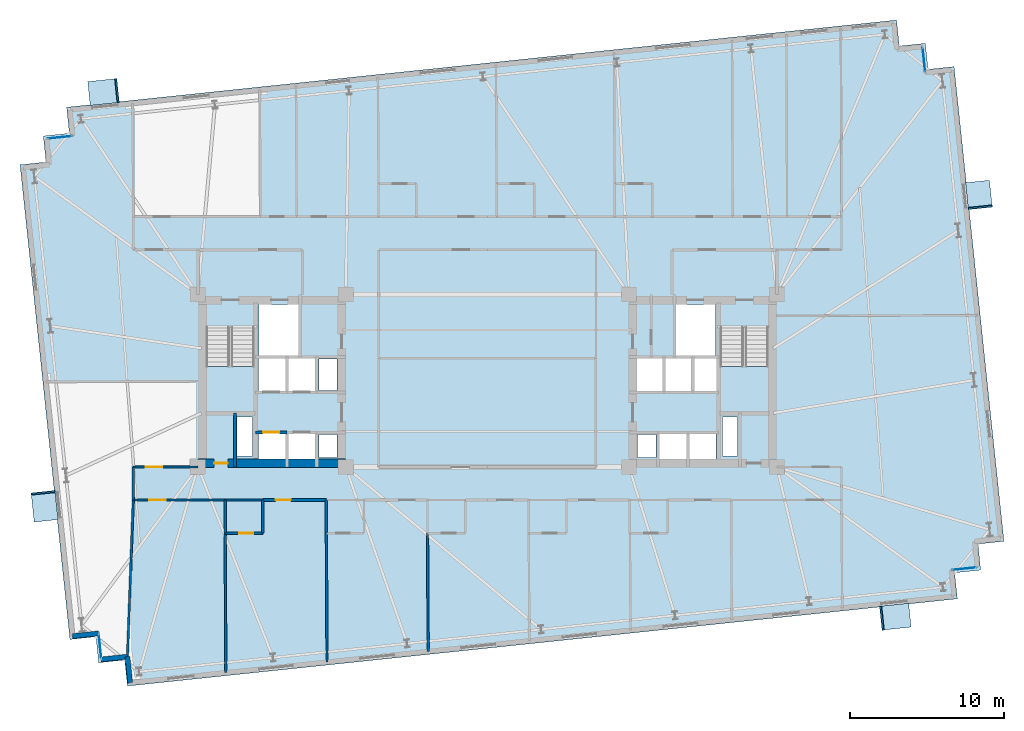
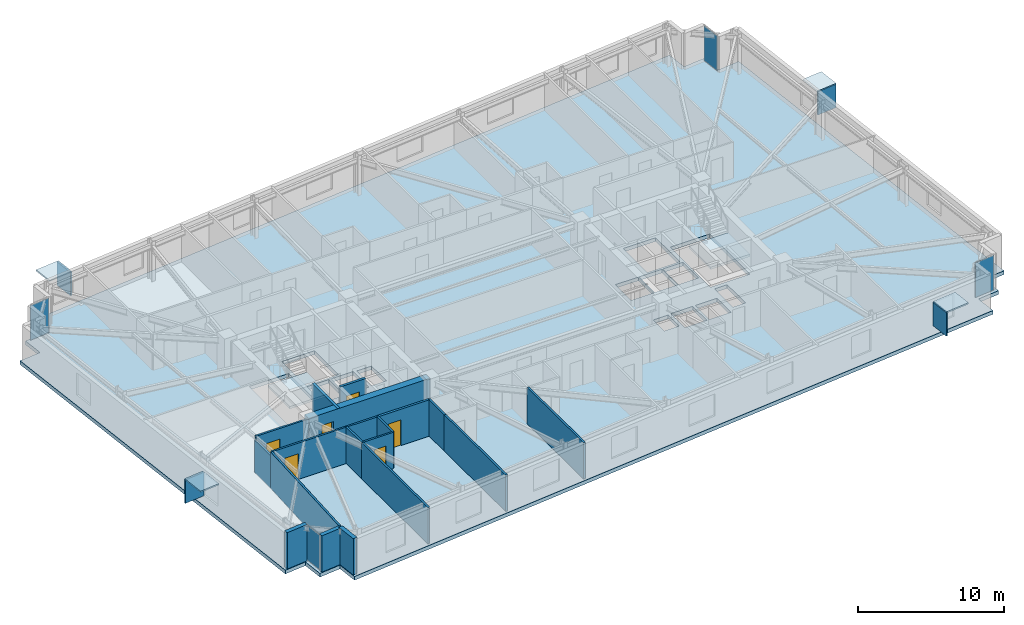
# One storey, part 11 of 19: 19 walls, 12 plates, 6 doors, 3 slabs, 6 openings, 6 elements without a shape of their own.
"""IFC4 building model written with IfcOpenShell, lengths in metres."""

from ifc_helpers import new_model, si_unit, direction, frame, frame_2d, origin, origin_2d, place, context, subcontext, project, spatial, polyline, rectangle, outline, extrude, material, layer, layer_set, type_object, element, fill, aggregate, save


model = new_model("IFC4")

# Units and contexts
model_context = context("Model", 3, precision=1e-05, world=origin(), true_north=direction((0.0, 1.0)))
body_context = subcontext(model_context, "Body", "Model", "MODEL_VIEW")
ifc_project = project(units=[si_unit("LENGTHUNIT", "METRE"), si_unit("AREAUNIT", "SQUARE_METRE"), si_unit("VOLUMEUNIT", "CUBIC_METRE"), si_unit("PLANEANGLEUNIT", "RADIAN"), si_unit("MASSUNIT", "GRAM", prefix="KILO")], contexts=[model_context])

# Site, building, storey
site_placement = place(None, origin())
site = spatial("IfcSite", under=ifc_project, at=site_placement, CompositionType="ELEMENT")
building_placement = place(site_placement, origin())
building = spatial("IfcBuilding", under=site, at=building_placement, Name="Qobustan Lattice House", CompositionType="ELEMENT")
storey_placement = place(building_placement, frame((0.0, 0.0, 115.85009765625)))
storey = spatial("IfcBuildingStorey", under=building, at=storey_placement, Name="L32", CompositionType="ELEMENT", Elevation=115.85009765625)

# Curtain wall, plate
ifc_material_1 = material(Name="Anodised aluminium and low-E glazing", Category="aluminium")
ifc_layer_1 = layer(ifc_material_1, 0.219970703125)
ifc_layer_set_1 = layer_set([ifc_layer_1], Name="Anodised aluminium and low-E glazing")
curtain_wall_type = type_object("IfcCurtainWallType", Name="CW-FAC-01", PredefinedType="USERDEFINED", material=ifc_layer_set_1)
curtain_wall_1_placement = place(storey_placement, origin())
curtain_wall_1 = element("IfcCurtainWall", 1, at=curtain_wall_1_placement, inside=storey, type_object=curtain_wall_type, Name="L32 serrated corner faceted glazing 3", ObjectType="CURTAIN WALL", PredefinedType="USERDEFINED")
ifc_material_2 = material(Name="Clear low-E laminated glass", Category="glass")
ifc_layer_2 = layer(ifc_material_2, 0.031982421875)
ifc_layer_set_2 = layer_set([ifc_layer_2], Name="Clear low-E laminated glass")
plate_type_1 = type_object("IfcPlateType", Name="CWP-VISION-32", PredefinedType="CURTAIN_PANEL", material=ifc_layer_set_2)
plate_1_placement = place(storey_placement, frame((-25.155029296875, -17.2509765625, 0.06494140625), z_axis=(0.0, 0.0, 1.0), x_axis=(-0.104528620025, 0.994521878892, 0.0)))
plate_1 = element("IfcPlate", 2, at=plate_1_placement, type_object=plate_type_1, Name="CW-F1 panel 1.1", PredefinedType="CURTAIN_PANEL", context=body_context, shape_type="SweptSolid", body=[
    extrude(rectangle(XDim=1.56005859375, YDim=0.031982421875, at=origin_2d()), origin(), (0.0, 0.0, 1.0), 2.9150390625),
])
aggregate(curtain_wall_1, [plate_1])

curtain_wall_2_placement = place(storey_placement, origin())
curtain_wall_2 = element("IfcCurtainWall", 3, at=curtain_wall_2_placement, inside=storey, type_object=curtain_wall_type, Name="L32 serrated corner faceted glazing 8", ObjectType="CURTAIN WALL", PredefinedType="USERDEFINED")
plate_2_placement = place(storey_placement, frame((-27.77490234375, 15.80615234375, 0.06494140625), z_axis=(0.0, 0.0, 1.0), x_axis=(0.994521878892, 0.104528620025, 0.0)))
plate_2 = element("IfcPlate", 4, at=plate_2_placement, type_object=plate_type_1, Name="CW-F1 panel 1.1", PredefinedType="CURTAIN_PANEL", context=body_context, shape_type="SweptSolid", body=[
    extrude(rectangle(XDim=1.56005859375, YDim=0.031982421875, at=origin_2d()), origin(), (0.0, 0.0, 1.0), 2.9150390625),
])
aggregate(curtain_wall_2, [plate_2])

curtain_wall_3_placement = place(storey_placement, origin())
curtain_wall_3 = element("IfcCurtainWall", 5, at=curtain_wall_3_placement, inside=storey, type_object=curtain_wall_type, Name="L32 serrated corner faceted glazing 13", ObjectType="CURTAIN WALL", PredefinedType="USERDEFINED")
plate_3_placement = place(storey_placement, frame((28.355224609375, 20.85107421875, 0.06494140625), z_axis=(0.0, 0.0, 1.0), x_axis=(0.104528620025, -0.994521878892, 0.0)))
plate_3 = element("IfcPlate", 6, at=plate_3_placement, type_object=plate_type_1, Name="CW-F1 panel 1.1", PredefinedType="CURTAIN_PANEL", context=body_context, shape_type="SweptSolid", body=[
    extrude(rectangle(XDim=1.56005859375, YDim=0.031982421875, at=origin_2d()), origin(), (0.0, 0.0, 1.0), 2.9150390625),
])
aggregate(curtain_wall_3, [plate_3])

curtain_wall_4_placement = place(storey_placement, origin())
curtain_wall_4 = element("IfcCurtainWall", 7, at=curtain_wall_4_placement, inside=storey, type_object=curtain_wall_type, Name="L32 serrated corner faceted glazing 18", ObjectType="CURTAIN WALL", PredefinedType="USERDEFINED")
plate_4_placement = place(storey_placement, frame((30.974853515625, -12.206298828125, 0.06494140625), z_axis=(0.0, 0.0, 1.0), x_axis=(-0.994521878892, -0.104528620025, 0.0)))
plate_4 = element("IfcPlate", 8, at=plate_4_placement, type_object=plate_type_1, Name="CW-F1 panel 1.1", PredefinedType="CURTAIN_PANEL", context=body_context, shape_type="SweptSolid", body=[
    extrude(rectangle(XDim=1.56005859375, YDim=0.031982421875, at=origin_2d()), origin(), (0.0, 0.0, 1.0), 2.9150390625),
])
aggregate(curtain_wall_4, [plate_4])

# Plates
ifc_material_3 = material(Name="Qobustan limestone GFRC", Category="masonry")
ifc_layer_3 = layer(ifc_material_3, 0.1201171875)
ifc_layer_set_3 = layer_set([ifc_layer_3], Name="Qobustan limestone GFRC")
plate_type_2 = type_object("IfcPlateType", Name="SHD-HOOD-BROW", PredefinedType="USERDEFINED", material=ifc_layer_set_3)
plate_5_placement = place(storey_placement, frame((-28.755615234375, -8.156494140625, 2.699951171875), z_axis=(0.0, 0.0, 1.0), x_axis=(-0.104528463268, 0.994521895368, 0.0)))
element("IfcPlate", 9, at=plate_5_placement, inside=storey, type_object=plate_type_2, Name="L32 splayed Qobustan stone hood brow", ObjectType="SUNSHADE", PredefinedType="USERDEFINED", context=body_context, shape_type="SweptSolid", body=[
    extrude(rectangle(XDim=1.889892578125, YDim=1.56005859375, at=origin_2d()), origin(), (0.0, 0.0, 1.0), 0.1201171875),
])
plate_6_placement = place(storey_placement, frame((-28.84814453125, -7.276123046875, 0.7900390625), z_axis=(0.0, 0.0, 1.0), x_axis=(-0.104528463268, 0.994521895368, 0.0)))
element("IfcPlate", 10, at=plate_6_placement, inside=storey, type_object=plate_type_2, Name="L32 splayed Qobustan stone hood cheek", ObjectType="SUNSHADE", PredefinedType="USERDEFINED", context=body_context, shape_type="SweptSolid", body=[
    extrude(rectangle(XDim=0.1201171875, YDim=1.56005859375, at=origin_2d()), origin(), (0.0, 0.0, 1.0), 1.969970703125),
])
plate_7_placement = place(storey_placement, frame((-24.935302734375, 18.7490234375, 2.699951171875), z_axis=(0.0, 0.0, 1.0), x_axis=(0.994521895368, 0.104528463268, 0.0)))
element("IfcPlate", 11, at=plate_7_placement, inside=storey, type_object=plate_type_2, Name="L32 splayed Qobustan stone hood brow", ObjectType="SUNSHADE", PredefinedType="USERDEFINED", context=body_context, shape_type="SweptSolid", body=[
    extrude(rectangle(XDim=1.889892578125, YDim=1.56005859375, at=origin_2d()), origin(), (0.0, 0.0, 1.0), 0.1201171875),
])
plate_8_placement = place(storey_placement, frame((-24.05517578125, 18.841552734375, 0.7900390625), z_axis=(0.0, 0.0, 1.0), x_axis=(0.994521895368, 0.104528463268, 0.0)))
element("IfcPlate", 12, at=plate_8_placement, inside=storey, type_object=plate_type_2, Name="L32 splayed Qobustan stone hood cheek", ObjectType="SUNSHADE", PredefinedType="USERDEFINED", context=body_context, shape_type="SweptSolid", body=[
    extrude(rectangle(XDim=0.1201171875, YDim=1.56005859375, at=origin_2d()), origin(), (0.0, 0.0, 1.0), 1.969970703125),
])
plate_9_placement = place(storey_placement, frame((31.922119140625, 12.074951171875, 2.699951171875), z_axis=(0.0, 0.0, 1.0), x_axis=(0.104528463268, -0.994521895368, 0.0)))
element("IfcPlate", 13, at=plate_9_placement, inside=storey, type_object=plate_type_2, Name="L32 splayed Qobustan stone hood brow", ObjectType="SUNSHADE", PredefinedType="USERDEFINED", context=body_context, shape_type="SweptSolid", body=[
    extrude(rectangle(XDim=1.739990234375, YDim=1.56005859375, at=origin_2d()), origin(), (0.0, 0.0, 1.0), 0.1201171875),
])
plate_10_placement = place(storey_placement, frame((32.006591796875, 11.269287109375, 0.7900390625), z_axis=(0.0, 0.0, 1.0), x_axis=(0.104528463268, -0.994521895368, 0.0)))
element("IfcPlate", 14, at=plate_10_placement, inside=storey, type_object=plate_type_2, Name="L32 splayed Qobustan stone hood cheek", ObjectType="SUNSHADE", PredefinedType="USERDEFINED", context=body_context, shape_type="SweptSolid", body=[
    extrude(rectangle(XDim=0.1201171875, YDim=1.56005859375, at=origin_2d()), origin(), (0.0, 0.0, 1.0), 1.969970703125),
])
plate_11_placement = place(storey_placement, frame((26.503173828125, -15.32080078125, 2.699951171875), z_axis=(0.0, 0.0, 1.0), x_axis=(-0.994521895368, -0.104528463268, 0.0)))
element("IfcPlate", 15, at=plate_11_placement, inside=storey, type_object=plate_type_2, Name="L32 splayed Qobustan stone hood brow", ObjectType="SUNSHADE", PredefinedType="USERDEFINED", context=body_context, shape_type="SweptSolid", body=[
    extrude(rectangle(XDim=1.889892578125, YDim=1.56005859375, at=origin_2d()), origin(), (0.0, 0.0, 1.0), 0.1201171875),
])
plate_12_placement = place(storey_placement, frame((25.623046875, -15.4130859375, 0.7900390625), z_axis=(0.0, 0.0, 1.0), x_axis=(-0.994521895368, -0.104528463268, 0.0)))
element("IfcPlate", 16, at=plate_12_placement, inside=storey, type_object=plate_type_2, Name="L32 splayed Qobustan stone hood cheek", ObjectType="SUNSHADE", PredefinedType="USERDEFINED", context=body_context, shape_type="SweptSolid", body=[
    extrude(rectangle(XDim=0.1201171875, YDim=1.56005859375, at=origin_2d()), origin(), (0.0, 0.0, 1.0), 1.969970703125),
])

# Slab
ifc_material_4 = material(Name="Concrete C40/50", Category="concrete")
ifc_layer_4 = layer(ifc_material_4, 0.304931640625)
ifc_layer_set_4 = layer_set([ifc_layer_4], Name="Concrete C40/50")
slab_type_1 = type_object("IfcSlabType", Name="SLB-FLR-305", PredefinedType="FLOOR", material=ifc_layer_set_4)
slab_1_placement = place(storey_placement, frame((0.0, 0.0, -0.30517578125)))
element("IfcSlab", 17, at=slab_1_placement, inside=storey, type_object=slab_type_1, Name="L32 structural floor slab", PredefinedType="FLOOR", context=body_context, shape_type="SweptSolid", body=[
    extrude(outline(polyline([(-23.3759765625, -19.8291015625), (30.527099609375, -14.163818359375), (30.349365234375, -12.47314453125), (32.0400390625, -12.29541015625), (31.8623046875, -10.604736328125), (33.552978515625, -10.427001953125), (30.312744140625, 20.4033203125), (28.6220703125, 20.2255859375), (28.4443359375, 21.916259765625), (26.753662109375, 21.738525390625), (26.575927734375, 23.42919921875), (-27.3271484375, 17.763671875), (-27.1494140625, 16.072998046875), (-28.840087890625, 15.8955078125), (-28.662353515625, 14.20458984375), (-30.35302734375, 14.027099609375), (-27.11279296875, -16.80322265625), (-25.422119140625, -16.62548828125), (-25.244384765625, -18.316162109375), (-23.5537109375, -18.138427734375), (-23.3759765625, -19.8291015625)]), holes=[polyline([(-18.25, -2.050048828125), (-18.25, 3.489990234375), (-15.1298828125, 3.489990234375), (-15.1298828125, -2.050048828125), (-18.25, -2.050048828125)]), polyline([(15.1298828125, -2.050048828125), (15.1298828125, 3.489990234375), (18.25, 3.489990234375), (18.25, -2.050048828125), (15.1298828125, -2.050048828125)]), polyline([(-14.820068359375, 1.64990234375), (-14.820068359375, 4.9599609375), (-12.25, 4.9599609375), (-12.25, 1.64990234375), (-14.820068359375, 1.64990234375)]), polyline([(12.25, 1.64990234375), (12.25, 4.9599609375), (14.820068359375, 4.9599609375), (14.820068359375, 1.64990234375), (12.25, 1.64990234375)]), polyline([(-16.260009765625, -4.8798828125), (-16.260009765625, -2.360107421875), (-15.260009765625, -2.360107421875), (-15.260009765625, -4.8798828125), (-16.260009765625, -4.8798828125)]), polyline([(15.260009765625, -4.8798828125), (15.260009765625, -2.360107421875), (16.260009765625, -2.360107421875), (16.260009765625, -4.8798828125), (15.260009765625, -4.8798828125)]), polyline([(-14.85009765625, -5.35009765625), (-14.85009765625, -3.419921875), (-13.1201171875, -3.419921875), (-13.1201171875, -5.35009765625), (-14.85009765625, -5.35009765625)]), polyline([(-12.919921875, -5.35009765625), (-12.919921875, -3.419921875), (-11.179931640625, -3.419921875), (-11.179931640625, -5.35009765625), (-12.919921875, -5.35009765625)]), polyline([(-14.85009765625, -0.679931640625), (-14.85009765625, 1.47998046875), (-13.1201171875, 1.47998046875), (-13.1201171875, -0.679931640625), (-14.85009765625, -0.679931640625)]), polyline([(-12.919921875, -0.679931640625), (-12.919921875, 1.47998046875), (-11.179931640625, 1.47998046875), (-11.179931640625, -0.679931640625), (-12.919921875, -0.679931640625)]), polyline([(-10.93994140625, -5.0), (-10.93994140625, -3.47998046875), (-9.760009765625, -3.47998046875), (-9.760009765625, -5.0), (-10.93994140625, -5.0)]), polyline([(-10.93994140625, -0.6201171875), (-10.93994140625, 1.419921875), (-9.760009765625, 1.419921875), (-9.760009765625, -0.6201171875), (-10.93994140625, -0.6201171875)]), polyline([(11.179931640625, -5.35009765625), (11.179931640625, -3.419921875), (12.919921875, -3.419921875), (12.919921875, -5.35009765625), (11.179931640625, -5.35009765625)]), polyline([(13.1201171875, -5.35009765625), (13.1201171875, -3.419921875), (14.85009765625, -3.419921875), (14.85009765625, -5.35009765625), (13.1201171875, -5.35009765625)]), polyline([(9.760009765625, -5.0), (9.760009765625, -3.47998046875), (10.93994140625, -3.47998046875), (10.93994140625, -5.0), (9.760009765625, -5.0)]), polyline([(13.360107421875, -0.679931640625), (13.360107421875, 1.47998046875), (14.97998046875, 1.47998046875), (14.97998046875, -0.679931640625), (13.360107421875, -0.679931640625)]), polyline([(9.6201171875, -0.679931640625), (9.6201171875, 1.47998046875), (11.43994140625, 1.47998046875), (11.43994140625, -0.679931640625), (9.6201171875, -0.679931640625)]), polyline([(11.5, -0.679931640625), (11.5, 1.47998046875), (13.320068359375, 1.47998046875), (13.320068359375, -0.679931640625), (11.5, -0.679931640625)])]), origin(), (0.0, 0.0, 1.0), 0.30517578125),
])

# Stair, slab
ifc_material_5 = material(Name="Concrete C40/50", Category="concrete")
stair_type = type_object("IfcStairType", Name="STR-CORE-DOGLEG", PredefinedType="HALF_TURN_STAIR", material=ifc_material_5)
stair_1_placement = place(storey_placement, origin())
stair_1 = element("IfcStair", 18, at=stair_1_placement, inside=storey, type_object=stair_type, Name="L32 West protected exit stair ST-W1", PredefinedType="HALF_TURN_STAIR")
ifc_material_6 = material(Name="Concrete C40/50", Category="concrete")
ifc_layer_5 = layer(ifc_material_6, 0.199951171875)
ifc_layer_set_5 = layer_set([ifc_layer_5], Name="Concrete C40/50")
slab_type_2 = type_object("IfcSlabType", Name="SLB-LANDING-200", PredefinedType="LANDING", material=ifc_layer_set_5)
slab_2_placement = place(storey_placement, frame((0.0, 0.0, 1.474853515625)))
slab_2 = element("IfcSlab", 19, at=slab_2_placement, type_object=slab_type_2, Name="ST-W1 landing 1", PredefinedType="LANDING", context=body_context, shape_type="SweptSolid", body=[
    extrude(outline(polyline([(-18.25, 0.93505859375), (-18.25, -2.050048828125), (-15.1298828125, -2.050048828125), (-15.1298828125, 0.93505859375), (-18.25, 0.93505859375)])), origin(), (0.0, 0.0, 1.0), 0.199951171875),
])
aggregate(stair_1, [slab_2])

stair_2_placement = place(storey_placement, origin())
stair_2 = element("IfcStair", 20, at=stair_2_placement, inside=storey, type_object=stair_type, Name="L32 East protected exit stair ST-E1", PredefinedType="HALF_TURN_STAIR")
slab_3_placement = place(storey_placement, frame((0.0, 0.0, 1.474853515625)))
slab_3 = element("IfcSlab", 21, at=slab_3_placement, type_object=slab_type_2, Name="ST-E1 landing 1", PredefinedType="LANDING", context=body_context, shape_type="SweptSolid", body=[
    extrude(outline(polyline([(15.1298828125, 0.93505859375), (15.1298828125, -2.050048828125), (18.25, -2.050048828125), (18.25, 0.93505859375), (15.1298828125, 0.93505859375)])), origin(), (0.0, 0.0, 1.0), 0.199951171875),
])
aggregate(stair_2, [slab_3])

# Wall, opening, door
ifc_material_7 = material(Name="Concrete C60/75", Category="concrete")
ifc_layer_6 = layer(ifc_material_7, 0.56005859375)
ifc_layer_set_6 = layer_set([ifc_layer_6], Name="Concrete C60/75")
wall_type_1 = type_object("IfcWallType", Name="WAL-CORE-600", PredefinedType="SHEAR", material=ifc_layer_set_6)
wall_1_placement = place(storey_placement, frame((-18.800048828125, -5.35009765625, 0.0), z_axis=(0.0, 0.0, 1.0), x_axis=(1.0, 0.0, 0.0)))
wall_1 = element("IfcWall", 22, at=wall_1_placement, inside=storey, type_object=wall_type_1, Name="L32 split-core shear wall CW-S", PredefinedType="SHEAR", context=body_context, shape_type="SweptSolid", body=[
    extrude(rectangle(XDim=9.60009765625, YDim=0.56005859375, at=frame_2d((4.800048828125, 0.0))), origin(), (0.0, 0.0, 1.0), 3.044921875),
])
opening_1_placement = place(wall_1_placement, frame((1.050048828125, 0.0, 0.0)))
opening_1 = element("IfcOpeningElement", 23, at=opening_1_placement, cuts=wall_1, Name="Opening RD-01", PredefinedType="OPENING", context=body_context, shape_type="SweptSolid", body=[
    extrude(rectangle(XDim=0.89990234375, YDim=2.10009765625, at=frame_2d((0.449951171875, 1.050048828125))), frame((0.0, 0.2900390625, 0.0), z_axis=(0.0, -1.0, 0.0), x_axis=(1.0, 0.0, 0.0)), (0.0, 0.0, 1.0), 0.580078125),
])
ifc_material_8 = material(Name="Persian walnut timber and steel frame door", Category="steel")
door_type_1 = type_object("IfcDoorType", Name="DOR-RISER-FD-900x2100", OperationType="NOTDEFINED", PredefinedType="DOOR", material=ifc_material_8)
door_1_placement = place(opening_1_placement, origin())
door_1 = element("IfcDoor", 24, at=door_1_placement, inside=storey, type_object=door_type_1, Name="L32 core service riser access door W", OperationType="SINGLE_SWING_RIGHT", OverallHeight=2.10009765625, OverallWidth=0.89990234375, PredefinedType="DOOR", context=body_context, shape_type="SweptSolid", body=[
    extrude(rectangle(XDim=0.89990234375, YDim=2.10009765625, at=frame_2d((0.449951171875, 1.050048828125))), frame((0.0, 0.02490234375, 0.0), z_axis=(0.0, -1.0, 0.0), x_axis=(1.0, 0.0, 0.0)), (0.0, 0.0, 1.0), 0.050048828125),
])
fill(opening_1, door_1)

# Walls
ifc_material_9 = material(Name="Precast concrete C40/50", Category="concrete")
ifc_layer_7 = layer(ifc_material_9, 0.320068359375)
ifc_layer_set_7 = layer_set([ifc_layer_7], Name="Precast concrete C40/50")
wall_type_2 = type_object("IfcWallType", Name="WAL-EXT-STONE-320", PredefinedType="SOLIDWALL", material=ifc_layer_set_7)
for number, where, z_axis, x_axis, name in (
    (25, (-23.197998046875, -19.609375, 0.0), (0.0, 0.0, 1.0), (-0.104550220202, 0.994519608382, 0.0), "L32 exterior limestone-clad wall 1"),
    (26, (-23.375732421875, -17.918701171875, 0.0), (0.0, 0.0, 1.0), (-0.994519608382, -0.104550220202, 0.0), "L32 exterior limestone-clad wall 2"),
):
    element("IfcWall", number, at=place(storey_placement, frame(where, z_axis=z_axis, x_axis=x_axis)), inside=storey, type_object=wall_type_2, Name=name, PredefinedType="SOLIDWALL", context=body_context, shape_type="SweptSolid", body=[
        extrude(rectangle(XDim=1.699951171875, YDim=0.320068359375, at=frame_2d((0.85009765625, 0.0))), origin(), (0.0, 0.0, 1.0), 3.044921875),
    ])
wall_2_placement = place(storey_placement, frame((-25.243896484375, -16.40576171875, 0.0), z_axis=(0.0, 0.0, 1.0), x_axis=(-0.994521177842, -0.104535289845, 0.0)))
element("IfcWall", 27, at=wall_2_placement, inside=storey, type_object=wall_type_2, Name="L32 exterior limestone-clad wall 4", PredefinedType="SOLIDWALL", context=body_context, shape_type="SweptSolid", body=[
    extrude(rectangle(XDim=1.7001953125, YDim=0.320068359375, at=frame_2d((0.85009765625, 0.0))), origin(), (0.0, 0.0, 1.0), 3.044921875),
])

# Wall, opening, door
ifc_material_10 = material(Name="Gypsum fireboard acoustic partition", Category="gypsum")
ifc_layer_8 = layer(ifc_material_10, 0.179931640625)
ifc_layer_set_8 = layer_set([ifc_layer_8], Name="Gypsum fireboard acoustic partition")
wall_type_3 = type_object("IfcWallType", Name="WAL-FIRE-180", PredefinedType="PARTITIONING", material=ifc_layer_set_8)
wall_3_placement = place(storey_placement, frame((-10.45703125, -7.75, 0.0), z_axis=(0.0, 0.0, 1.0), x_axis=(-1.0, 0.0, 0.0)))
wall_3 = element("IfcWall", 28, at=wall_3_placement, inside=storey, type_object=wall_type_3, Name="L32 interior partition 57", PredefinedType="PARTITIONING", context=body_context, shape_type="SweptSolid", body=[
    extrude(rectangle(XDim=4.1220703125, YDim=0.179931640625, at=frame_2d((2.06103515625, 0.0))), origin(), (0.0, 0.0, 1.0), 3.044921875),
])
opening_2_placement = place(wall_3_placement, frame((2.296630859375, 0.0, 0.0)))
opening_2 = element("IfcOpeningElement", 29, at=opening_2_placement, cuts=wall_3, Name="Opening FD-02", PredefinedType="OPENING", context=body_context, shape_type="SweptSolid", body=[
    extrude(rectangle(XDim=1.0, YDim=2.14990234375, at=frame_2d((0.5, 1.074951171875))), frame((0.0, 0.099853515625, 0.0), z_axis=(0.0, -1.0, 0.0), x_axis=(1.0, 0.0, 0.0)), (0.0, 0.0, 1.0), 0.199951171875),
])
ifc_material_11 = material(Name="Persian walnut timber and steel frame door", Category="steel")
door_type_2 = type_object("IfcDoorType", Name="DOR-UNIT-FD-1000x2150", OperationType="NOTDEFINED", PredefinedType="DOOR", material=ifc_material_11)
door_2_placement = place(opening_2_placement, origin())
door_2 = element("IfcDoor", 30, at=door_2_placement, inside=storey, type_object=door_type_2, Name="L32 South-west floor corridor to Kitchenette and studio apartment L32-S2 door", OperationType="SINGLE_SWING_RIGHT", OverallHeight=2.14990234375, OverallWidth=1.0, PredefinedType="DOOR", context=body_context, shape_type="SweptSolid", body=[
    extrude(rectangle(XDim=1.0, YDim=2.14990234375, at=frame_2d((0.5, 1.074951171875))), frame((0.0, 0.02490234375, 0.0), z_axis=(0.0, -1.0, 0.0), x_axis=(1.0, 0.0, 0.0)), (0.0, 0.0, 1.0), 0.050048828125),
])
fill(opening_2, door_2)

ifc_material_12 = material(Name="Acoustic twin-stud gypsum partition", Category="gypsum")
ifc_layer_9 = layer(ifc_material_12, 0.14990234375)
ifc_layer_set_9 = layer_set([ifc_layer_9], Name="Acoustic twin-stud gypsum partition")
wall_type_4 = type_object("IfcWallType", Name="WAL-PART-150", PredefinedType="PARTITIONING", material=ifc_layer_set_9)
wall_4_placement = place(storey_placement, frame((-23.0, -5.60009765625, 0.0), z_axis=(0.0, 0.0, 1.0), x_axis=(1.0, 0.0, 0.0)))
wall_4 = element("IfcWall", 31, at=wall_4_placement, inside=storey, type_object=wall_type_4, Name="L32 interior partition 54", PredefinedType="PARTITIONING", context=body_context, shape_type="SweptSolid", body=[
    extrude(rectangle(XDim=4.199951171875, YDim=0.14990234375, at=frame_2d((2.10009765625, 0.0))), origin(), (0.0, 0.0, 1.0), 3.044921875),
])
opening_3_placement = place(wall_4_placement, frame((0.82861328125, 0.0, 0.0)))
opening_3 = element("IfcOpeningElement", 32, at=opening_3_placement, cuts=wall_4, Name="Opening ID-02", PredefinedType="OPENING", context=body_context, shape_type="SweptSolid", body=[
    extrude(rectangle(XDim=1.050048828125, YDim=2.14990234375, at=frame_2d((0.52490234375, 1.074951171875))), frame((0.0, 0.0849609375, 0.0), z_axis=(0.0, -1.0, 0.0), x_axis=(1.0, 0.0, 0.0)), (0.0, 0.0, 1.0), 0.169921875),
])
ifc_material_13 = material(Name="Persian walnut timber and steel frame door", Category="steel")
door_type_3 = type_object("IfcDoorType", Name="DOR-STUDY-1050x2150", OperationType="NOTDEFINED", PredefinedType="DOOR", material=ifc_material_13)
door_3_placement = place(opening_3_placement, origin())
door_3 = element("IfcDoor", 33, at=door_3_placement, inside=storey, type_object=door_type_3, Name="L32 South-west floor corridor to Fellows reading room door", OperationType="SINGLE_SWING_RIGHT", OverallHeight=2.14990234375, OverallWidth=1.050048828125, PredefinedType="DOOR", context=body_context, shape_type="SweptSolid", body=[
    extrude(rectangle(XDim=1.050048828125, YDim=2.14990234375, at=frame_2d((0.52490234375, 1.074951171875))), frame((0.0, 0.02490234375, 0.0), z_axis=(0.0, -1.0, 0.0), x_axis=(1.0, 0.0, 0.0)), (0.0, 0.0, 1.0), 0.050048828125),
])
fill(opening_3, door_3)

# Wall
wall_5_placement = place(storey_placement, frame((-23.0, -7.75, 0.0), z_axis=(0.0, 0.0, 1.0), x_axis=(0.0, 1.0, 0.0)))
element("IfcWall", 34, at=wall_5_placement, inside=storey, type_object=wall_type_4, Name="L32 interior partition 55", PredefinedType="PARTITIONING", context=body_context, shape_type="SweptSolid", body=[
    extrude(rectangle(XDim=2.14990234375, YDim=0.14990234375, at=frame_2d((1.074951171875, 0.0))), origin(), (0.0, 0.0, 1.0), 2.699951171875),
])

# Wall, opening, door
wall_6_placement = place(storey_placement, frame((-17.029052734375, -7.75, 0.0), z_axis=(0.0, 0.0, 1.0), x_axis=(-1.0, 0.0, 0.0)))
wall_6 = element("IfcWall", 35, at=wall_6_placement, inside=storey, type_object=wall_type_4, Name="L32 interior partition 56", PredefinedType="PARTITIONING", context=body_context, shape_type="SweptSolid", body=[
    extrude(rectangle(XDim=5.970947265625, YDim=0.14990234375, at=frame_2d((2.9853515625, 0.0))), origin(), (0.0, 0.0, 1.0), 3.044921875),
])
opening_4_placement = place(wall_6_placement, frame((3.870849609375, 0.0, 0.0)))
opening_4 = element("IfcOpeningElement", 36, at=opening_4_placement, cuts=wall_6, Name="Opening ID-02", PredefinedType="OPENING", context=body_context, shape_type="SweptSolid", body=[
    extrude(rectangle(XDim=1.050048828125, YDim=2.14990234375, at=frame_2d((0.52490234375, 1.074951171875))), frame((0.0, 0.0849609375, 0.0), z_axis=(0.0, -1.0, 0.0), x_axis=(1.0, 0.0, 0.0)), (0.0, 0.0, 1.0), 0.169921875),
])
door_4_placement = place(opening_4_placement, origin())
door_4 = element("IfcDoor", 37, at=door_4_placement, inside=storey, type_object=door_type_3, Name="L32 South-west floor corridor to Focus study room S1 door", OperationType="SINGLE_SWING_LEFT", OverallHeight=2.14990234375, OverallWidth=1.050048828125, PredefinedType="DOOR", context=body_context, shape_type="SweptSolid", body=[
    extrude(rectangle(XDim=1.050048828125, YDim=2.14990234375, at=frame_2d((0.52490234375, 1.074951171875))), frame((0.0, 0.02490234375, 0.0), z_axis=(0.0, -1.0, 0.0), x_axis=(1.0, 0.0, 0.0)), (0.0, 0.0, 1.0), 0.050048828125),
])
fill(opening_4, door_4)

# Walls
wall_7_placement = place(storey_placement, frame((-23.0, -7.75, 0.0), z_axis=(0.0, 0.0, 1.0), x_axis=(-0.036924695214, -0.999318050914, 0.0)))
element("IfcWall", 38, at=wall_7_placement, inside=storey, type_object=wall_type_4, Name="L32 interior partition 78", PredefinedType="PARTITIONING", context=body_context, shape_type="SweptSolid", body=[
    extrude(rectangle(XDim=10.175537109375, YDim=0.14990234375, at=frame_2d((5.087890625, 0.0))), origin(), (0.0, 0.0, 1.0), 3.044921875),
])
wall_8_placement = place(storey_placement, frame((-17.029052734375, -9.89990234375, 0.0), z_axis=(0.0, 0.0, 1.0), x_axis=(0.004852348859, -0.999988227286, 0.0)))
element("IfcWall", 39, at=wall_8_placement, inside=storey, type_object=wall_type_4, Name="L32 interior partition 99", PredefinedType="PARTITIONING", context=body_context, shape_type="SweptSolid", body=[
    extrude(rectangle(XDim=9.056396484375, YDim=0.14990234375, at=frame_2d((4.5283203125, 0.0))), origin(), (0.0, 0.0, 1.0), 3.044921875),
])
wall_9_placement = place(storey_placement, frame((-10.45703125, -9.89990234375, 0.0), z_axis=(0.0, 0.0, 1.0), x_axis=(0.005252948012, -0.999986203173, 0.0)))
element("IfcWall", 40, at=wall_9_placement, inside=storey, type_object=wall_type_4, Name="L32 interior partition 103", PredefinedType="PARTITIONING", context=body_context, shape_type="SweptSolid", body=[
    extrude(rectangle(XDim=8.36572265625, YDim=0.14990234375, at=frame_2d((4.182861328125, 0.0))), origin(), (0.0, 0.0, 1.0), 3.044921875),
])
wall_10_placement = place(storey_placement, frame((-3.885986328125, -9.89990234375, 0.0), z_axis=(0.0, 0.0, 1.0), x_axis=(0.005725643334, -0.99998360837, 0.0)))
element("IfcWall", 41, at=wall_10_placement, inside=storey, type_object=wall_type_4, Name="L32 interior partition 107", PredefinedType="PARTITIONING", context=body_context, shape_type="SweptSolid", body=[
    extrude(rectangle(XDim=7.67529296875, YDim=0.14990234375, at=frame_2d((3.837646484375, 0.0))), origin(), (0.0, 0.0, 1.0), 3.044921875),
])
ifc_material_14 = material(Name="Concrete C40/50", Category="concrete")
ifc_layer_10 = layer(ifc_material_14, 0.199951171875)
ifc_layer_set_10 = layer_set([ifc_layer_10], Name="Concrete C40/50")
wall_type_5 = type_object("IfcWallType", Name="WAL-SHAFT-200", PredefinedType="PARTITIONING", material=ifc_layer_set_10)
wall_11_placement = place(storey_placement, frame((-16.39990234375, -5.60009765625, 0.0), z_axis=(0.0, 0.0, 1.0), x_axis=(0.0, 1.0, 0.0)))
element("IfcWall", 42, at=wall_11_placement, inside=storey, type_object=wall_type_5, Name="L32 interior partition 1", PredefinedType="PARTITIONING", context=body_context, shape_type="SweptSolid", body=[
    extrude(rectangle(XDim=3.489990234375, YDim=0.199951171875, at=frame_2d((1.7451171875, 0.0))), origin(), (0.0, 0.0, 1.0), 3.044921875),
])

# Wall, opening, door
wall_12_placement = place(storey_placement, frame((-15.050048828125, -3.35009765625, 0.0), z_axis=(0.0, 0.0, 1.0), x_axis=(1.0, 0.0, 0.0)))
wall_12 = element("IfcWall", 43, at=wall_12_placement, inside=storey, type_object=wall_type_5, Name="L32 interior partition 7", PredefinedType="PARTITIONING", context=body_context, shape_type="SweptSolid", body=[
    extrude(rectangle(XDim=2.030029296875, YDim=0.199951171875, at=frame_2d((1.01513671875, 0.0))), origin(), (0.0, 0.0, 1.0), 3.044921875),
])
opening_5_placement = place(wall_12_placement, frame((0.489990234375, 0.0, 0.0)))
opening_5 = element("IfcOpeningElement", 44, at=opening_5_placement, cuts=wall_12, Name="Opening LD-01", PredefinedType="OPENING", context=body_context, shape_type="SweptSolid", body=[
    extrude(rectangle(XDim=1.050048828125, YDim=2.10009765625, at=frame_2d((0.52490234375, 1.050048828125))), frame((0.0, 0.10986328125, 0.0), z_axis=(0.0, -1.0, 0.0), x_axis=(1.0, 0.0, 0.0)), (0.0, 0.0, 1.0), 0.219970703125),
])
ifc_material_15 = material(Name="Persian walnut timber and steel frame door", Category="steel")
door_type_4 = type_object("IfcDoorType", Name="DOR-LIFT-LD-1050x2100", OperationType="NOTDEFINED", PredefinedType="DOOR", material=ifc_material_15)
door_5_placement = place(opening_5_placement, origin())
door_5 = element("IfcDoor", 45, at=door_5_placement, inside=storey, type_object=door_type_4, Name="L32 lift landing door", OperationType="DOUBLE_DOOR_SLIDING", OverallHeight=2.10009765625, OverallWidth=1.050048828125, PredefinedType="DOOR", context=body_context, shape_type="SweptSolid", body=[
    extrude(rectangle(XDim=1.050048828125, YDim=2.10009765625, at=frame_2d((0.52490234375, 1.050048828125))), frame((0.0, 0.02490234375, 0.0), z_axis=(0.0, -1.0, 0.0), x_axis=(1.0, 0.0, 0.0)), (0.0, 0.0, 1.0), 0.050048828125),
])
fill(opening_5, door_5)

# Walls
ifc_material_16 = material(Name="Moisture-resistant acoustic plumbing wall", Category="gypsum")
ifc_layer_11 = layer(ifc_material_16, 0.14990234375)
ifc_layer_set_11 = layer_set([ifc_layer_11], Name="Moisture-resistant acoustic plumbing wall")
wall_type_6 = type_object("IfcWallType", Name="WAL-WET-150", PredefinedType="PLUMBINGWALL", material=ifc_layer_set_11)
wall_13_placement = place(storey_placement, frame((-14.5791015625, -7.75, 0.0), z_axis=(0.0, 0.0, 1.0), x_axis=(-1.0, 0.0, 0.0)))
element("IfcWall", 46, at=wall_13_placement, inside=storey, type_object=wall_type_6, Name="L32 interior partition 58", PredefinedType="PLUMBINGWALL", context=body_context, shape_type="SweptSolid", body=[
    extrude(rectangle(XDim=2.449951171875, YDim=0.14990234375, at=frame_2d((1.22509765625, 0.0))), origin(), (0.0, 0.0, 1.0), 3.044921875),
])
wall_14_placement = place(storey_placement, frame((-17.029052734375, -7.75, 0.0), z_axis=(0.0, 0.0, 1.0), x_axis=(0.0, -1.0, 0.0)))
element("IfcWall", 47, at=wall_14_placement, inside=storey, type_object=wall_type_6, Name="L32 interior partition 100", PredefinedType="PLUMBINGWALL", context=body_context, shape_type="SweptSolid", body=[
    extrude(rectangle(XDim=2.14990234375, YDim=0.14990234375, at=frame_2d((1.074951171875, 0.0))), origin(), (0.0, 0.0, 1.0), 3.044921875),
])

# Wall, opening, door
wall_15_placement = place(storey_placement, frame((-17.029052734375, -9.89990234375, 0.0), z_axis=(0.0, 0.0, 1.0), x_axis=(1.0, 0.0, 0.0)))
wall_15 = element("IfcWall", 48, at=wall_15_placement, inside=storey, type_object=wall_type_6, Name="L32 interior partition 101", PredefinedType="PLUMBINGWALL", context=body_context, shape_type="SweptSolid", body=[
    extrude(rectangle(XDim=2.449951171875, YDim=0.14990234375, at=frame_2d((1.22509765625, 0.0))), origin(), (0.0, 0.0, 1.0), 3.044921875),
])
opening_6_placement = place(wall_15_placement, frame((0.921142578125, 0.0, 0.0)))
opening_6 = element("IfcOpeningElement", 49, at=opening_6_placement, cuts=wall_15, Name="Opening WD-01", PredefinedType="OPENING", context=body_context, shape_type="SweptSolid", body=[
    extrude(rectangle(XDim=0.89990234375, YDim=2.10009765625, at=frame_2d((0.449951171875, 1.050048828125))), frame((0.0, 0.0849609375, 0.0), z_axis=(0.0, -1.0, 0.0), x_axis=(1.0, 0.0, 0.0)), (0.0, 0.0, 1.0), 0.169921875),
])
ifc_material_17 = material(Name="Persian walnut timber and steel frame door", Category="steel")
door_type_5 = type_object("IfcDoorType", Name="DOR-WET-900x2100", OperationType="NOTDEFINED", PredefinedType="DOOR", material=ifc_material_17)
door_6_placement = place(opening_6_placement, origin())
door_6 = element("IfcDoor", 50, at=door_6_placement, inside=storey, type_object=door_type_5, Name="L32 Kitchenette and studio apartment L32-S2 to En-suite bathroom L32-S2 door", OperationType="SINGLE_SWING_LEFT", OverallHeight=2.10009765625, OverallWidth=0.89990234375, PredefinedType="DOOR", context=body_context, shape_type="SweptSolid", body=[
    extrude(rectangle(XDim=0.89990234375, YDim=2.10009765625, at=frame_2d((0.449951171875, 1.050048828125))), frame((0.0, 0.02490234375, 0.0), z_axis=(0.0, -1.0, 0.0), x_axis=(1.0, 0.0, 0.0)), (0.0, 0.0, 1.0), 0.050048828125),
])
fill(opening_6, door_6)

# Walls
for number, where, z_axis, x_axis, name in (
    (51, (-14.5791015625, -9.89990234375, 0.0), (0.0, 0.0, 1.0), (0.0, 1.0, 0.0), "L32 interior partition 102"),
    (52, (-10.45703125, -7.75, 0.0), (0.0, 0.0, 1.0), (0.0, -1.0, 0.0), "L32 interior partition 104"),
):
    element("IfcWall", number, at=place(storey_placement, frame(where, z_axis=z_axis, x_axis=x_axis)), inside=storey, type_object=wall_type_6, Name=name, PredefinedType="PLUMBINGWALL", context=body_context, shape_type="SweptSolid", body=[
        extrude(rectangle(XDim=2.14990234375, YDim=0.14990234375, at=frame_2d((1.074951171875, 0.0))), origin(), (0.0, 0.0, 1.0), 3.044921875),
    ])

save(model, "model.ifc")
